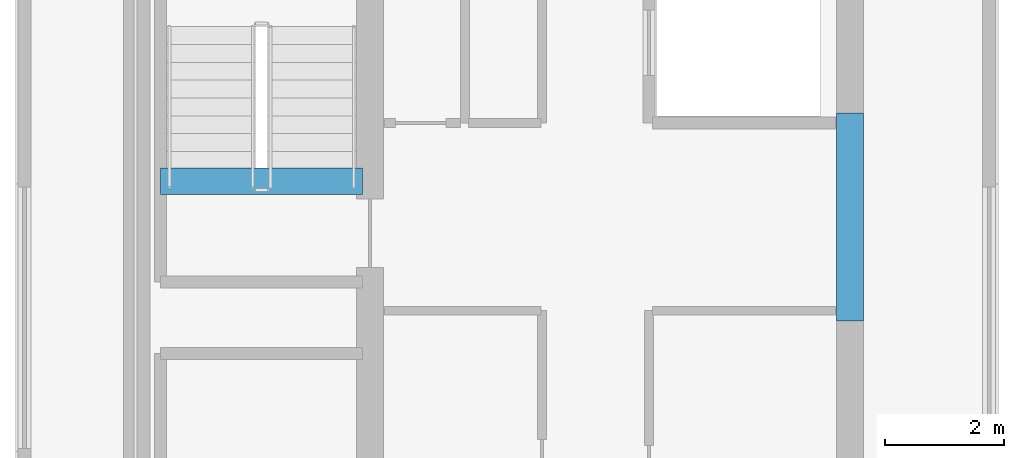
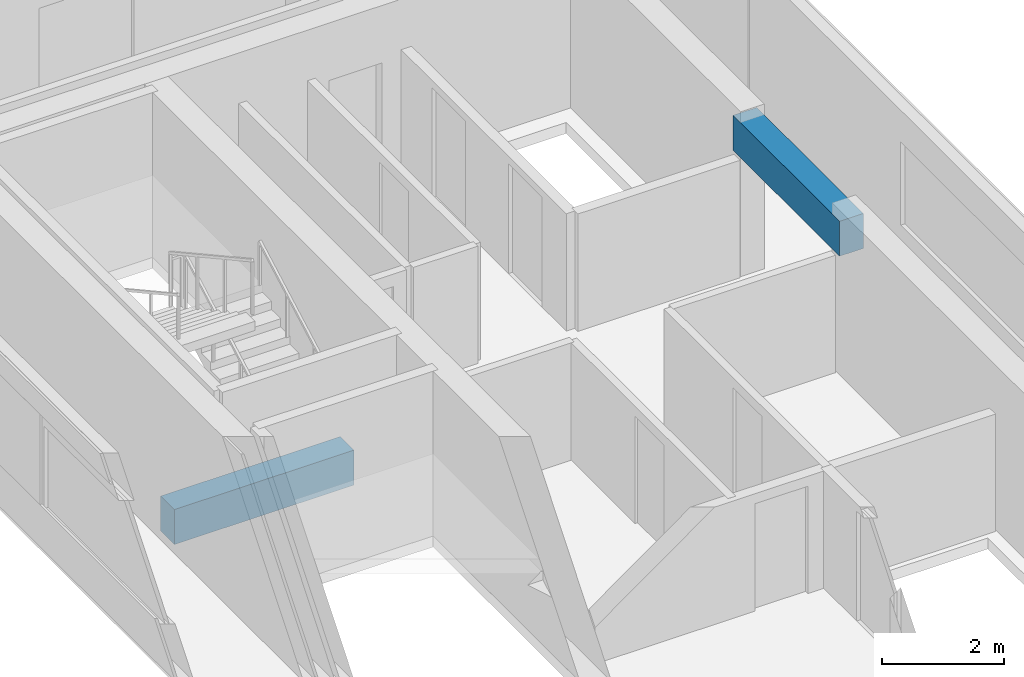
# One storey, part 4 of 28: 2 beams.
"""IFC4 building model written with IfcOpenShell, lengths in metres."""

from ifc_helpers import new_model, si_unit, direction, frame, origin, origin_2d, place, context, subcontext, project, spatial, rectangle, extrude, material, material_profile, profile_set, type_object, element, save


model = new_model("IFC4")

# Units and contexts
model_context = context("Model", 3, precision=1e-05, world=origin(), true_north=direction((0.0, 1.0)))
body_context = subcontext(model_context, "Body", "Model", "MODEL_VIEW")
ifc_project = project(units=[si_unit("LENGTHUNIT", "METRE"), si_unit("AREAUNIT", "SQUARE_METRE"), si_unit("VOLUMEUNIT", "CUBIC_METRE"), si_unit("PLANEANGLEUNIT", "RADIAN"), si_unit("MASSUNIT", "GRAM", prefix="KILO")], contexts=[model_context])

# Site, building, storey
site_placement = place(None, origin())
site = spatial("IfcSite", under=ifc_project, at=site_placement, CompositionType="ELEMENT")
building_placement = place(site_placement, origin())
building = spatial("IfcBuilding", under=site, at=building_placement, Name="Tanjung Sevakor Pilgrim Tower", CompositionType="ELEMENT")
storey_placement = place(building_placement, frame((0.0, 0.0, 239.25)))
storey = spatial("IfcBuildingStorey", under=building, at=storey_placement, Name="L67", CompositionType="ELEMENT", Elevation=239.25)

# Beams
ifc_material = material(Name="Concrete C60/75", Category="concrete")
ifc_material_profile = material_profile(ifc_material, rectangle(XDim=0.449951171875, YDim=0.699951171875, at=origin_2d()))
ifc_profile_set = profile_set([ifc_material_profile], Name="Concrete C60/75")
beam_type = type_object("IfcBeamType", Name="BM-B-LN3-RC-BM_450x700", PredefinedType="LINTEL", material=ifc_profile_set)
beam_1_placement = place(storey_placement, frame((36.0, 33.550048828125, 2.72998046875), z_axis=(0.0, 1.0, 0.0), x_axis=(-1.0, 0.0, 0.0)))
element("IfcBeam", 1, at=beam_1_placement, inside=storey, type_object=beam_type, Name="L67 W Core Coupling Lintel", PredefinedType="LINTEL", context=body_context, shape_type="SweptSolid", body=[
    extrude(rectangle(XDim=0.449951171875, YDim=0.699951171875, at=origin_2d()), origin(), (0.0, 0.0, 1.0), 3.5),
])
beam_2_placement = place(storey_placement, frame((24.39990234375, 35.89990234375, -0.35009765625), z_axis=(1.0, 0.0, 0.0), x_axis=(0.0, 1.0, 0.0)))
element("IfcBeam", 2, at=beam_2_placement, inside=storey, type_object=beam_type, Name="L67 TS-W2 Stair Threshold Beam", PredefinedType="LINTEL", context=body_context, shape_type="SweptSolid", body=[
    extrude(rectangle(XDim=0.449951171875, YDim=0.699951171875, at=origin_2d()), origin(), (0.0, 0.0, 1.0), 3.400146484375),
])

save(model, "model.ifc")
